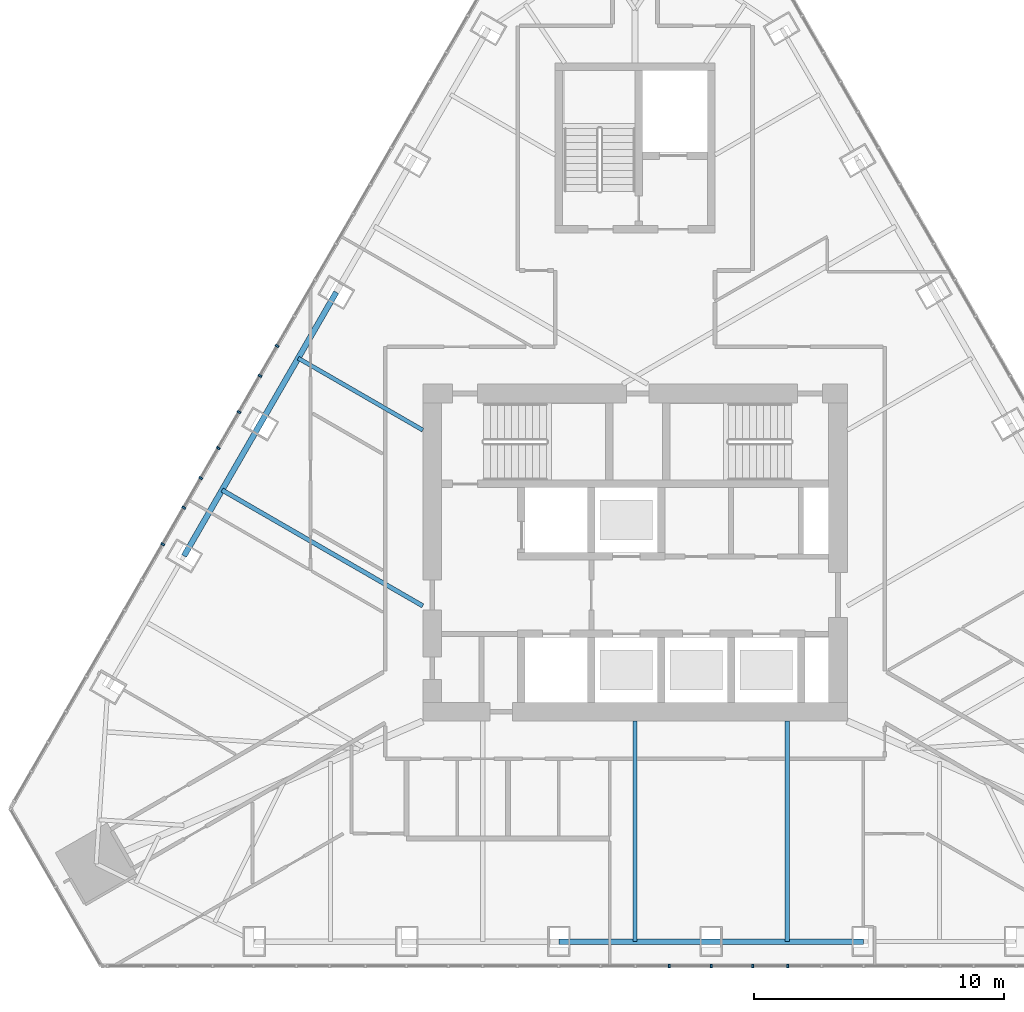
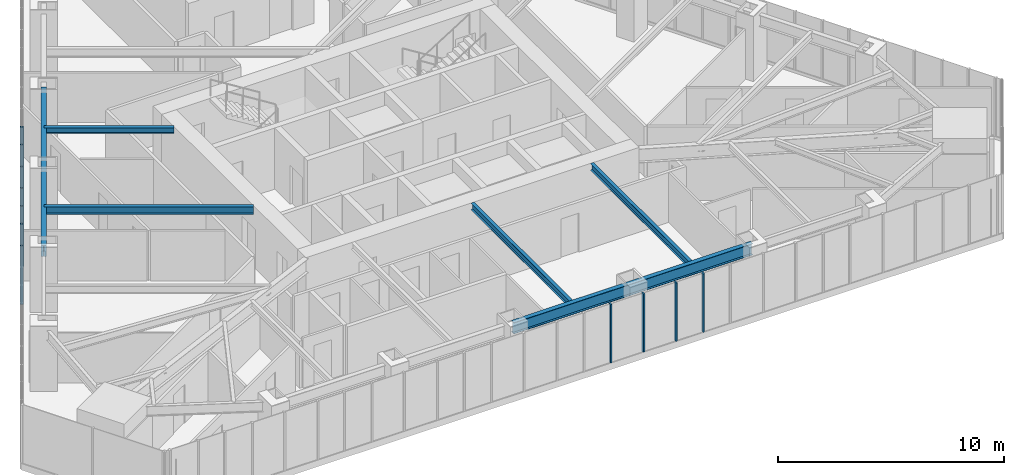
# One storey, part 4 of 20: 11 members, 6 beams, 2 elements without a shape of their own.
"""IFC4 building model written with IfcOpenShell, lengths in metres."""

import ifcopenshell
import ifcopenshell.guid

model = None  # the IFC model being written
_history = None  # IfcOwnerHistory: only IFC2X3 demands one
_inside = {}  # id of a spatial element -> (the spatial element, [elements in it])
_under = {}  # id of a project, library or spatial element -> (it, [spatial elements below it])
_declared = {}  # id of a project -> (the project, [libraries it declares])
_typed = {}  # id of a type object -> (the type object, [elements of that type])
_made_of = {}  # id of a material, layer set ... -> (it, [elements and type objects made of it])


def new_model(schema):
    """Start an empty IFC model of exactly this schema.

    Asked for "IFC4X3", IfcOpenShell would pick the latest addendum, in which some entities
    have other attributes; the version numbers below select the first issue.
    IFC2X3 requires an IfcOwnerHistory on every rooted entity: one is made here for all.
    """
    global model, _history
    if schema == "IFC4X3":
        model = ifcopenshell.file(schema_version=(4, 3, 0, 0))
    else:
        model = ifcopenshell.file(schema=schema)
    _inside.clear()
    _under.clear()
    _declared.clear()
    _typed.clear()
    _made_of.clear()
    _history = None
    if model.schema == "IFC2X3":
        org = make("IfcOrganization", Name="unknown")
        user = make(
            "IfcPersonAndOrganization",
            ThePerson=make("IfcPerson", FamilyName="unknown"),
            TheOrganization=org,
        )
        app = make(
            "IfcApplication",
            ApplicationDeveloper=org,
            Version="unknown",
            ApplicationFullName="unknown",
            ApplicationIdentifier="unknown",
        )
        _history = make(
            "IfcOwnerHistory",
            OwningUser=user,
            OwningApplication=app,
            ChangeAction="ADDED",
            CreationDate=0,
        )
    return model


def make(cls, **values):
    """One entity of the class cls with the attributes given. An attribute that is None is left unset."""
    return model.create_entity(
        cls, **{name: value for name, value in values.items() if value is not None}
    )


def rooted(cls, **values):
    """An entity with a GlobalId (a new one), such as an element, a storey or a relation."""
    return make(cls, GlobalId=ifcopenshell.guid.new(), OwnerHistory=_history, **values)


def si_unit(unit_type, name, prefix=None):
    """IfcSIUnit, for example si_unit("LENGTHUNIT", "METRE", prefix="MILLI")."""
    return make("IfcSIUnit", UnitType=unit_type, Prefix=prefix, Name=name)


def assignment(units):
    """IfcUnitAssignment: the units of a project."""
    return None if units is None else make("IfcUnitAssignment", Units=units)


def point(xyz):
    """IfcCartesianPoint."""
    return None if xyz is None else make("IfcCartesianPoint", Coordinates=xyz)


def direction(xyz):
    """IfcDirection."""
    return None if xyz is None else make("IfcDirection", DirectionRatios=xyz)


def frame(location, z_axis=None, x_axis=None):
    """IfcAxis2Placement3D, a coordinate frame: its origin and axes. An axis left out is left unset."""
    return make(
        "IfcAxis2Placement3D",
        Location=point(location),
        Axis=direction(z_axis),
        RefDirection=direction(x_axis),
    )


def frame_2d(location, x_axis=None):
    """IfcAxis2Placement2D, a coordinate frame in the plane: its origin and x axis."""
    return make(
        "IfcAxis2Placement2D", Location=point(location), RefDirection=direction(x_axis)
    )


def origin():
    """The frame at (0, 0, 0) with its axes left unset."""
    return frame((0.0, 0.0, 0.0))


def origin_2d():
    """The frame at (0, 0) in the plane with its x axis left unset."""
    return frame_2d((0.0, 0.0))


def place(relative_to, where):
    """IfcLocalPlacement: puts the frame where relative to a parent placement (None: the world)."""
    return make(
        "IfcLocalPlacement", PlacementRelTo=relative_to, RelativePlacement=where
    )


def context(
    kind, dimensions, precision=None, world=None, true_north=None, identifier=None
):
    """IfcGeometricRepresentationContext, for example the 3D "Model" context."""
    return make(
        "IfcGeometricRepresentationContext",
        ContextIdentifier=identifier,
        ContextType=kind,
        CoordinateSpaceDimension=dimensions,
        Precision=precision,
        WorldCoordinateSystem=world,
        TrueNorth=true_north,
    )


def subcontext(parent, identifier, kind, view, scale=None):
    """IfcGeometricRepresentationSubContext, for example "Body" below "Model"."""
    return make(
        "IfcGeometricRepresentationSubContext",
        ContextIdentifier=identifier,
        ContextType=kind,
        ParentContext=parent,
        TargetScale=scale,
        TargetView=view,
    )


def project(units=None, contexts=None):
    """IfcProject with its units and contexts."""
    return rooted(
        "IfcProject",
        Name="project",
        RepresentationContexts=contexts,
        UnitsInContext=assignment(units),
    )


def spatial(cls, under=None, at=None, **own):
    """A site, building, storey or space (cls), placed at a placement, below another one or the project."""
    s = rooted(cls, ObjectPlacement=at, **own)
    if under is not None:
        _under.setdefault(under.id(), (under, []))[1].append(s)
    return s


def profile(cls, at=None, kind="AREA", **sizes):
    """A parametric profile (cls). Its sizes go by their IFC names, for example OverallWidth=200.0."""
    return make(cls, ProfileType=kind, Position=at, **sizes)


def rectangle(**sizes):
    """IfcRectangleProfileDef."""
    return profile("IfcRectangleProfileDef", **sizes)


def i_section(**sizes):
    """IfcIShapeProfileDef."""
    return profile("IfcIShapeProfileDef", **sizes)


def extrude(swept, where, along, depth):
    """IfcExtrudedAreaSolid: the profile swept, set in the frame where, extruded along a direction by depth."""
    return make(
        "IfcExtrudedAreaSolid",
        SweptArea=swept,
        Position=where,
        ExtrudedDirection=direction(along),
        Depth=depth,
    )


def shape(context_of_items, identifier, shape_type, items):
    """IfcShapeRepresentation: the items that make up one representation, for example the "Body"."""
    return make(
        "IfcShapeRepresentation",
        ContextOfItems=context_of_items,
        RepresentationIdentifier=identifier,
        RepresentationType=shape_type,
        Items=items,
    )


def material(Name=None, Category=None):
    """IfcMaterial."""
    return make("IfcMaterial", Name=Name, Category=Category)


def layer(
    of_material, thickness, ventilated=None, Name=None, Category=None, Priority=None
):
    """IfcMaterialLayer: one layer of a wall or slab, of a material (None: an air gap)."""
    return make(
        "IfcMaterialLayer",
        Material=of_material,
        LayerThickness=thickness,
        IsVentilated=ventilated,
        Name=Name,
        Category=Category,
        Priority=Priority,
    )


def layer_set(layers, Name=None):
    """IfcMaterialLayerSet."""
    return make("IfcMaterialLayerSet", MaterialLayers=layers, LayerSetName=Name)


def material_profile(
    of_material, cross_section, Name=None, Category=None, Priority=None
):
    """IfcMaterialProfile: a cross section and its material."""
    return make(
        "IfcMaterialProfile",
        Name=Name,
        Material=of_material,
        Profile=cross_section,
        Priority=Priority,
        Category=Category,
    )


def profile_set(profiles, Name=None, composite=None):
    """IfcMaterialProfileSet."""
    return make(
        "IfcMaterialProfileSet",
        Name=Name,
        MaterialProfiles=profiles,
        CompositeProfile=composite,
    )


def made_of(thing, what):
    """Note that an element or type object is made of a material, layer set ...; save() writes the relation."""
    if what is not None:
        _made_of.setdefault(what.id(), (what, []))[1].append(thing)
    return thing


def type_object(cls, material=None, **own):
    """A type object (cls), such as IfcWallType, which elements share."""
    return made_of(rooted(cls, **own), material)


def element(
    cls,
    number,
    at=None,
    inside=None,
    cuts=None,
    type_object=None,
    material=None,
    context=None,
    identifier="Body",
    shape_type=None,
    held_by="IfcProductDefinitionShape",
    body=None,
    shapes=None,
    **own,
):
    """One element of the class cls, such as IfcWall. Its Tag is "e" and its number.

    at: its placement. inside: the storey or other place that contains it. cuts: it is an
    opening in that element (IfcRelVoidsElement). A single representation is given by context,
    identifier, shape_type and body (its items); several are given by shapes. held_by: the class
    of the entity that holds the representations. save() writes the other relations.
    """
    e = rooted(cls, Tag="e%d" % number, ObjectPlacement=at, **own)
    if body is not None:
        shapes = [shape(context, identifier, shape_type, body)]
    if shapes is not None:
        e.Representation = make(held_by, Representations=shapes)
    if inside is not None:
        _inside.setdefault(inside.id(), (inside, []))[1].append(e)
    if cuts is not None:
        rooted(
            "IfcRelVoidsElement", RelatingBuildingElement=cuts, RelatedOpeningElement=e
        )
    if type_object is not None:
        _typed.setdefault(type_object.id(), (type_object, []))[1].append(e)
    return made_of(e, material)


def aggregate(whole, parts):
    """IfcRelAggregates: a whole, such as a stair, and the parts it consists of."""
    return rooted("IfcRelAggregates", RelatingObject=whole, RelatedObjects=parts)


def save(model, path):
    """Write the relations noted so far, then the file.

    IfcRelAggregates (storeys below a building ...), IfcRelContainedInSpatialStructure (elements
    in a storey), IfcRelDefinesByType, IfcRelAssociatesMaterial and IfcRelDeclares: one each for
    every whole, place, type object, material and project.
    """
    for whole, parts in _under.values():
        aggregate(whole, parts)
    for where, things in _inside.values():
        rooted(
            "IfcRelContainedInSpatialStructure",
            RelatedElements=things,
            RelatingStructure=where,
        )
    for kind, things in _typed.values():
        rooted("IfcRelDefinesByType", RelatedObjects=things, RelatingType=kind)
    for what, things in _made_of.values():
        rooted("IfcRelAssociatesMaterial", RelatedObjects=things, RelatingMaterial=what)
    for by, libraries in _declared.values():
        rooted("IfcRelDeclares", RelatingContext=by, RelatedDefinitions=libraries)
    model.write(path)


model = new_model("IFC4")

# Units and contexts
model_context = context("Model", 3, precision=1e-05, world=origin(), true_north=direction((0.0, 1.0)))
body_context = subcontext(model_context, "Body", "Model", "MODEL_VIEW")
ifc_project = project(units=[si_unit("LENGTHUNIT", "METRE"), si_unit("AREAUNIT", "SQUARE_METRE"), si_unit("VOLUMEUNIT", "CUBIC_METRE"), si_unit("PLANEANGLEUNIT", "RADIAN"), si_unit("MASSUNIT", "GRAM", prefix="KILO")], contexts=[model_context])

# Site, building, storey
site_placement = place(None, origin())
site = spatial("IfcSite", under=ifc_project, at=site_placement, CompositionType="ELEMENT")
building_placement = place(site_placement, origin())
building = spatial("IfcBuilding", under=site, at=building_placement, Name="Firuza Gate Tower and Library", CompositionType="ELEMENT")
storey_placement = place(building_placement, frame((0.0, 0.0, 305.60009765625)))
storey = spatial("IfcBuildingStorey", under=building, at=storey_placement, Name="L74", CompositionType="ELEMENT", Elevation=305.60009765625)

# Curtain wall, members
ifc_material_1 = material(Name="Aluminium 6063-T6", Category="aluminium")
ifc_layer = layer(ifc_material_1, 0.14990234375)
ifc_layer_set = layer_set([ifc_layer], Name="Unitised curtain wall, residences")
curtain_wall_type = type_object("IfcCurtainWallType", Name="Unitised curtain wall, residences", PredefinedType="NOTDEFINED", material=ifc_layer_set)
placement = place(storey_placement, origin())
curtain_wall_1 = element("IfcCurtainWall", 1, at=placement, inside=storey, type_object=curtain_wall_type, Name="CW3 L74 S face", PredefinedType="NOTDEFINED")
ifc_material_2 = material(Name="Aluminium 6063-T6", Category="aluminium")
ifc_material_profile_1 = material_profile(ifc_material_2, rectangle(XDim=0.14990234375, YDim=0.080078125, at=origin_2d()))
ifc_profile_set_1 = profile_set([ifc_material_profile_1], Name="Aluminium 6063-T6")
member_type = type_object("IfcMemberType", Name="Curtain wall mullion 80x150", PredefinedType="MULLION", material=ifc_profile_set_1)
member_1_placement = place(storey_placement, frame((78.05419921875, 58.44970703125, 0.14990234375), z_axis=(0.0, 0.0, 1.0), x_axis=(0.0, 1.0, 0.0)))
member_1 = element("IfcMember", 2, at=member_1_placement, type_object=member_type, Name="Mullion", PredefinedType="MULLION", context=body_context, shape_type="SweptSolid", body=[
    extrude(rectangle(XDim=0.14990234375, YDim=0.080078125, at=origin_2d()), origin(), (0.0, 0.0, 1.0), 3.14990234375),
])
member_2_placement = place(storey_placement, frame((81.1083984375, 58.44970703125, 0.14990234375), z_axis=(0.0, 0.0, 1.0), x_axis=(0.0, 1.0, 0.0)))
member_2 = element("IfcMember", 3, at=member_2_placement, type_object=member_type, Name="Mullion", PredefinedType="MULLION", context=body_context, shape_type="SweptSolid", body=[
    extrude(rectangle(XDim=0.14990234375, YDim=0.080078125, at=origin_2d()), origin(), (0.0, 0.0, 1.0), 3.14990234375),
])
member_3_placement = place(storey_placement, frame((76.378662109375, 58.44970703125, 0.14990234375), z_axis=(0.0, 0.0, 1.0), x_axis=(0.0, 1.0, 0.0)))
member_3 = element("IfcMember", 4, at=member_3_placement, type_object=member_type, Name="Mullion", PredefinedType="MULLION", context=body_context, shape_type="SweptSolid", body=[
    extrude(rectangle(XDim=0.14990234375, YDim=0.080078125, at=origin_2d()), origin(), (0.0, 0.0, 1.0), 3.14990234375),
])
member_4_placement = place(storey_placement, frame((79.71728515625, 58.44970703125, 0.14990234375), z_axis=(0.0, 0.0, 1.0), x_axis=(0.0, 1.0, 0.0)))
member_4 = element("IfcMember", 5, at=member_4_placement, type_object=member_type, Name="Mullion", PredefinedType="MULLION", context=body_context, shape_type="SweptSolid", body=[
    extrude(rectangle(XDim=0.14990234375, YDim=0.080078125, at=origin_2d()), origin(), (0.0, 0.0, 1.0), 3.14990234375),
])
aggregate(curtain_wall_1, [member_1, member_2, member_3, member_4])

curtain_wall_2 = element("IfcCurtainWall", 6, at=placement, inside=storey, type_object=curtain_wall_type, Name="CW3 L74 W face", PredefinedType="NOTDEFINED")
member_5_placement = place(storey_placement, frame((60.6669921875, 83.275146484375, 0.14990234375), z_axis=(0.0, 0.0, 1.0), x_axis=(0.866025403784, -0.5, 0.0)))
member_5 = element("IfcMember", 7, at=member_5_placement, type_object=member_type, Name="Mullion", PredefinedType="MULLION", context=body_context, shape_type="SweptSolid", body=[
    extrude(rectangle(XDim=0.14990234375, YDim=0.080078125, at=origin_2d()), origin(), (0.0, 0.0, 1.0), 3.14990234375),
])
member_6_placement = place(storey_placement, frame((59.139892578125, 80.630126953125, 0.14990234375), z_axis=(0.0, 0.0, 1.0), x_axis=(0.866025403784, -0.5, 0.0)))
member_6 = element("IfcMember", 8, at=member_6_placement, type_object=member_type, Name="Mullion", PredefinedType="MULLION", context=body_context, shape_type="SweptSolid", body=[
    extrude(rectangle(XDim=0.14990234375, YDim=0.080078125, at=origin_2d()), origin(), (0.0, 0.0, 1.0), 3.14990234375),
])
member_7_placement = place(storey_placement, frame((57.61279296875, 77.985107421875, 0.14990234375), z_axis=(0.0, 0.0, 1.0), x_axis=(0.866025403784, -0.5, 0.0)))
member_7 = element("IfcMember", 9, at=member_7_placement, type_object=member_type, Name="Mullion", PredefinedType="MULLION", context=body_context, shape_type="SweptSolid", body=[
    extrude(rectangle(XDim=0.14990234375, YDim=0.080078125, at=origin_2d()), origin(), (0.0, 0.0, 1.0), 3.14990234375),
])
member_8_placement = place(storey_placement, frame((56.085693359375, 75.340087890625, 0.14990234375), z_axis=(0.0, 0.0, 1.0), x_axis=(0.866025403784, -0.5, 0.0)))
member_8 = element("IfcMember", 10, at=member_8_placement, type_object=member_type, Name="Mullion", PredefinedType="MULLION", context=body_context, shape_type="SweptSolid", body=[
    extrude(rectangle(XDim=0.14990234375, YDim=0.080078125, at=origin_2d()), origin(), (0.0, 0.0, 1.0), 3.14990234375),
])
member_9_placement = place(storey_placement, frame((59.977783203125, 82.081298828125, 0.14990234375), z_axis=(0.0, 0.0, 1.0), x_axis=(0.866025403784, -0.5, 0.0)))
member_9 = element("IfcMember", 11, at=member_9_placement, type_object=member_type, Name="Mullion", PredefinedType="MULLION", context=body_context, shape_type="SweptSolid", body=[
    extrude(rectangle(XDim=0.14990234375, YDim=0.080078125, at=origin_2d()), origin(), (0.0, 0.0, 1.0), 3.14990234375),
])
member_10_placement = place(storey_placement, frame((58.308349609375, 79.189697265625, 0.14990234375), z_axis=(0.0, 0.0, 1.0), x_axis=(0.866025403784, -0.5, 0.0)))
member_10 = element("IfcMember", 12, at=member_10_placement, type_object=member_type, Name="Mullion", PredefinedType="MULLION", context=body_context, shape_type="SweptSolid", body=[
    extrude(rectangle(XDim=0.14990234375, YDim=0.080078125, at=origin_2d()), origin(), (0.0, 0.0, 1.0), 3.14990234375),
])
member_11_placement = place(storey_placement, frame((56.9296875, 76.802001953125, 0.14990234375), z_axis=(0.0, 0.0, 1.0), x_axis=(0.866025403784, -0.5, 0.0)))
member_11 = element("IfcMember", 13, at=member_11_placement, type_object=member_type, Name="Mullion", PredefinedType="MULLION", context=body_context, shape_type="SweptSolid", body=[
    extrude(rectangle(XDim=0.14990234375, YDim=0.080078125, at=origin_2d()), origin(), (0.0, 0.0, 1.0), 3.14990234375),
])
aggregate(curtain_wall_2, [member_5, member_6, member_7, member_8, member_9, member_10, member_11])

# Beams
ifc_material_3 = material(Name="Steel S355", Category="steel")
ifc_material_profile_2 = material_profile(ifc_material_3, i_section(OverallWidth=0.1650390625, OverallDepth=0.31005859375, WebThickness=0.005859375, FlangeThickness=0.009765625, at=origin_2d()))
ifc_profile_set_2 = profile_set([ifc_material_profile_2], Name="Steel S355")
beam_type_1 = type_object("IfcBeamType", Name="W310x39 Floor beam", PredefinedType="JOIST", material=ifc_profile_set_2)
beam_1_placement = place(storey_placement, frame((61.511474609375, 82.78759765625, 3.14501953125), z_axis=(0.866025368003, -0.500000061975, 0.0), x_axis=(0.500000061975, 0.866025368003, 0.0)))
element("IfcBeam", 14, at=beam_1_placement, inside=storey, type_object=beam_type_1, Name="Floor beam L74 s82", PredefinedType="JOIST", context=body_context, shape_type="SweptSolid", body=[
    extrude(i_section(OverallWidth=0.1650390625, OverallDepth=0.31005859375, WebThickness=0.005859375, FlangeThickness=0.009765625, at=origin_2d()), origin(), (0.0, 0.0, 1.0), 5.76025390625),
])
ifc_material_4 = material(Name="Steel S355", Category="steel")
ifc_material_profile_3 = material_profile(ifc_material_4, i_section(OverallWidth=0.1708984375, OverallDepth=0.35498046875, WebThickness=0.007080078125, FlangeThickness=0.01171875, at=origin_2d()))
ifc_profile_set_3 = profile_set([ifc_material_profile_3], Name="Steel S355")
beam_type_2 = type_object("IfcBeamType", Name="W360x51 Floor beam", PredefinedType="JOIST", material=ifc_profile_set_3)
for number, where, z_axis, x_axis, name in (
    (15, (75.0, 59.4248046875, 3.122314453125), (0.0, 1.0, 0.0), (-1.0, 0.0, 0.0), "Floor beam L74 s22"),
    (16, (81.095947265625, 59.4248046875, 3.122314453125), (0.0, 1.0, 0.0), (-1.0, 0.0, 0.0), "Floor beam L74 s23"),
):
    element("IfcBeam", number, at=place(storey_placement, frame(where, z_axis=z_axis, x_axis=x_axis)), inside=storey, type_object=beam_type_2, Name=name, PredefinedType="JOIST", context=body_context, shape_type="SweptSolid", body=[
        extrude(i_section(OverallWidth=0.1708984375, OverallDepth=0.35498046875, WebThickness=0.007080078125, FlangeThickness=0.01171875, at=origin_2d()), origin(), (0.0, 0.0, 1.0), 8.8251953125),
    ])
ifc_material_5 = material(Name="Steel S355", Category="steel")
ifc_material_profile_4 = material_profile(ifc_material_5, i_section(OverallWidth=0.177978515625, OverallDepth=0.406982421875, WebThickness=0.0078125, FlangeThickness=0.0126953125, at=origin_2d()))
ifc_profile_set_4 = profile_set([ifc_material_profile_4], Name="Steel S355")
beam_type_3 = type_object("IfcBeamType", Name="W410x60 Floor beam", PredefinedType="JOIST", material=ifc_profile_set_4)
beam_2_placement = place(storey_placement, frame((58.46337890625, 77.50830078125, 3.096435546875), z_axis=(0.866027866277, -0.499995734814, 0.0), x_axis=(0.499995734814, 0.866027866277, 0.0)))
element("IfcBeam", 17, at=beam_2_placement, inside=storey, type_object=beam_type_3, Name="Floor beam L74 s83", PredefinedType="JOIST", context=body_context, shape_type="SweptSolid", body=[
    extrude(i_section(OverallWidth=0.177978515625, OverallDepth=0.406982421875, WebThickness=0.0078125, FlangeThickness=0.0126953125, at=origin_2d()), origin(), (0.0, 0.0, 1.0), 9.27978515625),
])
ifc_material_6 = material(Name="Steel S355", Category="steel")
ifc_material_profile_5 = material_profile(ifc_material_6, i_section(OverallWidth=0.22900390625, OverallDepth=0.612060546875, WebThickness=0.011962890625, FlangeThickness=0.01953125, at=origin_2d()))
ifc_profile_set_5 = profile_set([ifc_material_profile_5], Name="Steel S355")
beam_type_4 = type_object("IfcBeamType", Name="W610x125 Edge beam", PredefinedType="SPANDREL", material=ifc_profile_set_5)
beam_3_placement = place(storey_placement, frame((71.951904296875, 59.4248046875, 2.993896484375), z_axis=(1.0, 0.0, 0.0), x_axis=(0.0, 1.0, 0.0)))
element("IfcBeam", 18, at=beam_3_placement, inside=storey, type_object=beam_type_4, Name="Edge beam L74 e22", PredefinedType="SPANDREL", context=body_context, shape_type="SweptSolid", body=[
    extrude(i_section(OverallWidth=0.22900390625, OverallDepth=0.612060546875, WebThickness=0.011962890625, FlangeThickness=0.01953125, at=origin_2d()), origin(), (0.0, 0.0, 1.0), 12.192138671875),
])
beam_4_placement = place(storey_placement, frame((63.035400390625, 85.42724609375, 2.993896484375), z_axis=(-0.499996328842, -0.866027523318, 0.0), x_axis=(0.866027523318, -0.499996328842, 0.0)))
element("IfcBeam", 19, at=beam_4_placement, inside=storey, type_object=beam_type_4, Name="Edge beam L74 e82", PredefinedType="SPANDREL", context=body_context, shape_type="SweptSolid", body=[
    extrude(i_section(OverallWidth=0.22900390625, OverallDepth=0.612060546875, WebThickness=0.011962890625, FlangeThickness=0.01953125, at=origin_2d()), origin(), (0.0, 0.0, 1.0), 12.19189453125),
])

save(model, "model.ifc")
